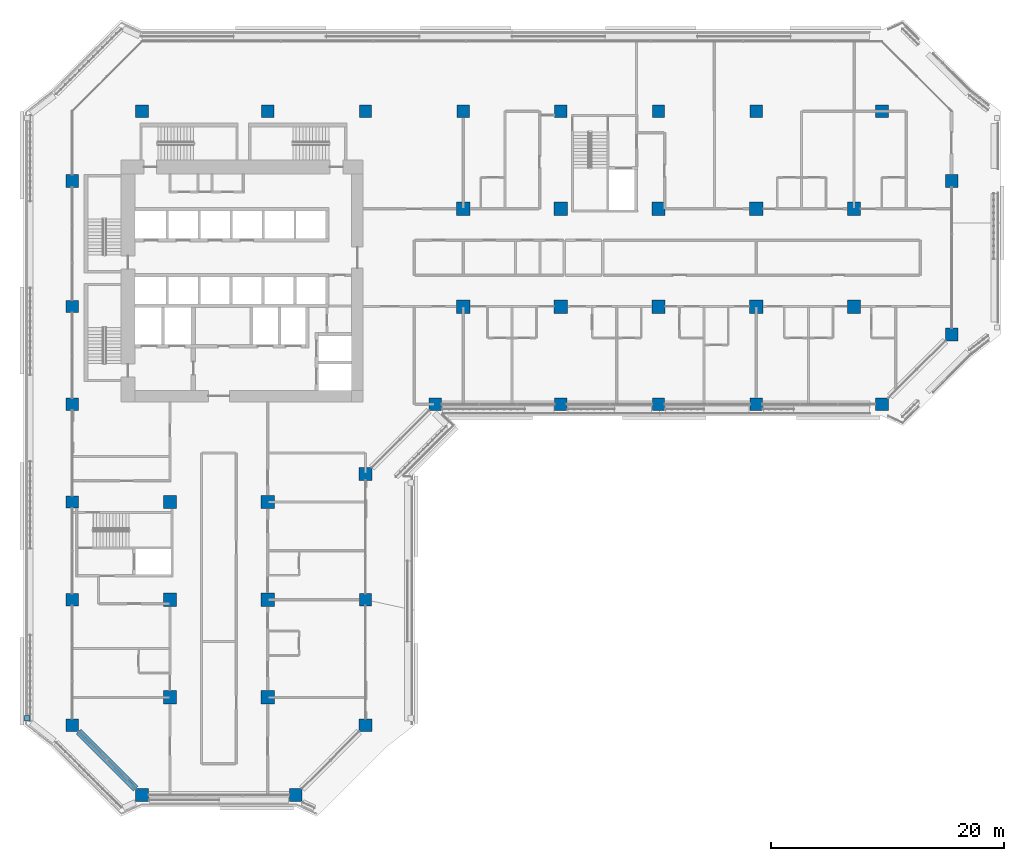
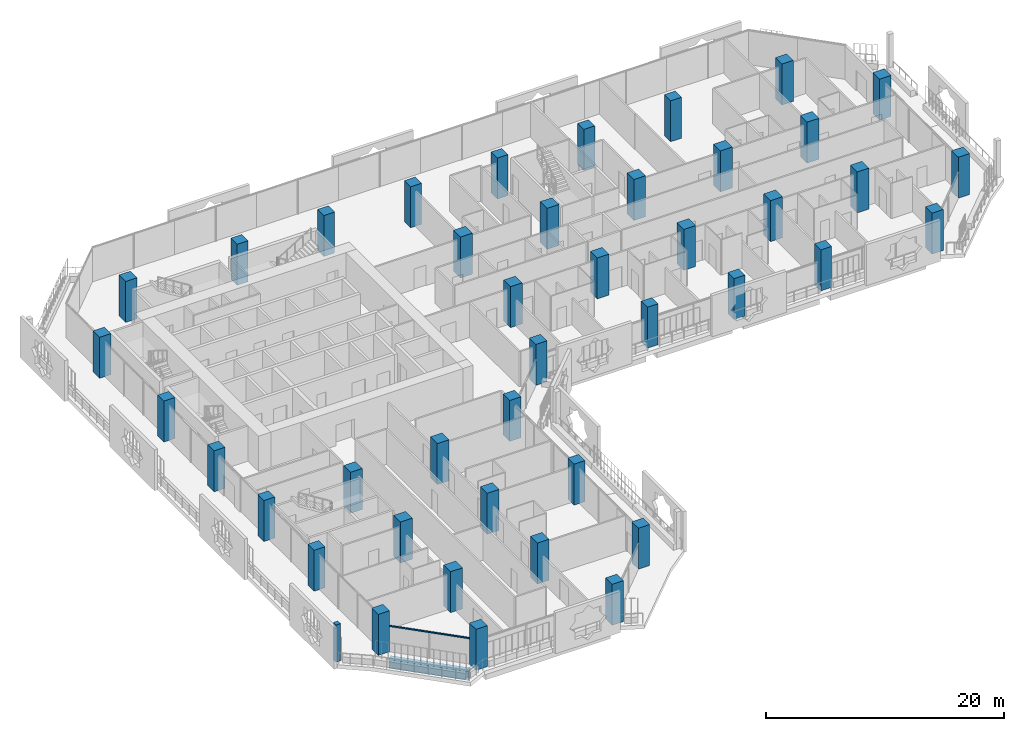
# One storey, part 1 of 26: 42 columns, 2 members, 1 beam, 2 elements without a shape of their own.
"""IFC4 building model written with IfcOpenShell, lengths in metres."""

from ifc_helpers import new_model, si_unit, direction, frame, origin, origin_2d, place, context, subcontext, project, spatial, rectangle, extrude, material, layer, layer_set, material_profile, profile_set, type_object, element, aggregate, save


model = new_model("IFC4")

# Units and contexts
model_context = context("Model", 3, precision=1e-05, world=origin(), true_north=direction((0.0, 1.0)))
body_context = subcontext(model_context, "Body", "Model", "MODEL_VIEW")
ifc_project = project(units=[si_unit("LENGTHUNIT", "METRE"), si_unit("AREAUNIT", "SQUARE_METRE"), si_unit("VOLUMEUNIT", "CUBIC_METRE"), si_unit("PLANEANGLEUNIT", "RADIAN"), si_unit("MASSUNIT", "GRAM", prefix="KILO")], contexts=[model_context])

# Site, building, storey
site_placement = place(None, origin())
site = spatial("IfcSite", under=ifc_project, at=site_placement, CompositionType="ELEMENT")
building_placement = place(site_placement, origin())
building = spatial("IfcBuilding", under=site, at=building_placement, Name="Kawkab Arch Medical Tower", CompositionType="ELEMENT")
storey_placement = place(building_placement, frame((0.0, 0.0, 119.800048828125)))
storey = spatial("IfcBuildingStorey", under=building, at=storey_placement, Name="L27", CompositionType="ELEMENT", Elevation=119.800048828125)

# Columns
ifc_material_1 = material(Name="Concrete C55/67", Category="concrete")
ifc_material_profile_1 = material_profile(ifc_material_1, rectangle(XDim=1.050048828125, YDim=1.050048828125, at=origin_2d()), Name="RC 1050x1050")
ifc_profile_set_1 = profile_set([ifc_material_profile_1], Name="Concrete C55/67")
column_type_1 = type_object("IfcColumnType", Name="RC 1050x1050 column C55/67", PredefinedType="COLUMN", material=ifc_profile_set_1)
for number, where, z_axis, x_axis, name in (
    (1, (16.800048828125, 0.0, 0.0), (0.0, 0.0, 1.0), (1.0, 0.0, 0.0), "Column RC 1050x1050"),
    (2, (25.199951171875, 0.0, 0.0), (0.0, 0.0, 1.0), (1.0, 0.0, 0.0), "Column RC 1050x1050"),
    (3, (33.60009765625, 0.0, 0.0), (0.0, 0.0, 1.0), (1.0, 0.0, 0.0), "Column RC 1050x1050"),
    (4, (42.0, 0.0, 0.0), (0.0, 0.0, 1.0), (1.0, 0.0, 0.0), "Column RC 1050x1050"),
    (5, (50.39990234375, 0.0, 0.0), (0.0, 0.0, 1.0), (1.0, 0.0, 0.0), "Column RC 1050x1050"),
    (6, (58.800048828125, 0.0, 0.0), (0.0, 0.0, 1.0), (1.0, 0.0, 0.0), "Column RC 1050x1050"),
    (7, (0.0, -16.800048828125, 0.0), (0.0, 0.0, 1.0), (1.0, 0.0, 0.0), "Column RC 1050x1050"),
    (8, (0.0, -25.199951171875, 0.0), (0.0, 0.0, 1.0), (1.0, 0.0, 0.0), "Column RC 1050x1050"),
    (9, (42.0, -25.199951171875, 0.0), (0.0, 0.0, 1.0), (1.0, 0.0, 0.0), "Column RC 1050x1050"),
    (10, (50.39990234375, -25.199951171875, 0.0), (0.0, 0.0, 1.0), (1.0, 0.0, 0.0), "Column RC 1050x1050"),
    (11, (58.800048828125, -25.199951171875, 0.0), (0.0, 0.0, 1.0), (1.0, 0.0, 0.0), "Column RC 1050x1050"),
    (12, (0.0, -33.60009765625, 0.0), (0.0, 0.0, 1.0), (1.0, 0.0, 0.0), "Column RC 1050x1050"),
    (13, (0.0, -42.0, 0.0), (0.0, 0.0, 1.0), (1.0, 0.0, 0.0), "Column RC 1050x1050"),
    (14, (25.199951171875, -42.0, 0.0), (0.0, 0.0, 1.0), (1.0, 0.0, 0.0), "Column RC 1050x1050"),
):
    element("IfcColumn", number, at=place(storey_placement, frame(where, z_axis=z_axis, x_axis=x_axis)), inside=storey, type_object=column_type_1, Name=name, PredefinedType="COLUMN", context=body_context, shape_type="SweptSolid", body=[
        extrude(rectangle(XDim=1.050048828125, YDim=1.050048828125, at=origin_2d()), origin(), (0.0, 0.0, 1.0), 4.199951171875),
    ])
ifc_material_2 = material(Name="Concrete C55/67", Category="concrete")
ifc_material_profile_2 = material_profile(ifc_material_2, rectangle(XDim=1.10009765625, YDim=1.10009765625, at=origin_2d()), Name="RC 1100x1100")
ifc_profile_set_2 = profile_set([ifc_material_profile_2], Name="Concrete C55/67")
column_type_2 = type_object("IfcColumnType", Name="RC 1100x1100 column C55/67", PredefinedType="COLUMN", material=ifc_profile_set_2)
for number, where, z_axis, x_axis, name in (
    (15, (6.0, 0.0, 0.0), (0.0, 0.0, 1.0), (1.0, 0.0, 0.0), "Column RC 1100x1100"),
    (16, (69.60009765625, 0.0, 0.0), (0.0, 0.0, 1.0), (1.0, 0.0, 0.0), "Column RC 1100x1100"),
    (17, (0.0, -6.0, 0.0), (0.0, 0.0, 1.0), (1.0, 0.0, 0.0), "Column RC 1100x1100"),
    (18, (75.60009765625, -6.0, 0.0), (0.0, 0.0, 1.0), (1.0, 0.0, 0.0), "Column RC 1100x1100"),
    (19, (75.60009765625, -19.199951171875, 0.0), (0.0, 0.0, 1.0), (1.0, 0.0, 0.0), "Column RC 1100x1100"),
    (20, (31.199951171875, -25.199951171875, 0.0), (0.0, 0.0, 1.0), (1.0, 0.0, 0.0), "Column RC 1100x1100"),
    (21, (69.60009765625, -25.199951171875, 0.0), (0.0, 0.0, 1.0), (1.0, 0.0, 0.0), "Column RC 1100x1100"),
    (22, (25.199951171875, -31.199951171875, 0.0), (0.0, 0.0, 1.0), (1.0, 0.0, 0.0), "Column RC 1100x1100"),
    (23, (0.0, -52.800048828125, 0.0), (0.0, 0.0, 1.0), (1.0, 0.0, 0.0), "Column RC 1100x1100"),
    (24, (25.199951171875, -52.800048828125, 0.0), (0.0, 0.0, 1.0), (1.0, 0.0, 0.0), "Column RC 1100x1100"),
    (25, (6.0, -58.800048828125, 0.0), (0.0, 0.0, 1.0), (1.0, 0.0, 0.0), "Column RC 1100x1100"),
    (26, (19.199951171875, -58.800048828125, 0.0), (0.0, 0.0, 1.0), (1.0, 0.0, 0.0), "Column RC 1100x1100"),
):
    element("IfcColumn", number, at=place(storey_placement, frame(where, z_axis=z_axis, x_axis=x_axis)), inside=storey, type_object=column_type_2, Name=name, PredefinedType="COLUMN", context=body_context, shape_type="SweptSolid", body=[
        extrude(rectangle(XDim=1.10009765625, YDim=1.10009765625, at=origin_2d()), origin(), (0.0, 0.0, 1.0), 4.199951171875),
    ])
ifc_material_3 = material(Name="Concrete C55/67", Category="concrete")
ifc_material_profile_3 = material_profile(ifc_material_3, rectangle(XDim=1.14990234375, YDim=1.14990234375, at=origin_2d()), Name="RC 1150x1150")
ifc_profile_set_3 = profile_set([ifc_material_profile_3], Name="Concrete C55/67")
column_type_3 = type_object("IfcColumnType", Name="RC 1150x1150 column C55/67", PredefinedType="COLUMN", material=ifc_profile_set_3)
for number, where, z_axis, x_axis, name in (
    (27, (33.60009765625, -8.39990234375, 0.0), (0.0, 0.0, 1.0), (1.0, 0.0, 0.0), "Column RC 1150x1150"),
    (28, (42.0, -8.39990234375, 0.0), (0.0, 0.0, 1.0), (1.0, 0.0, 0.0), "Column RC 1150x1150"),
    (29, (50.39990234375, -8.39990234375, 0.0), (0.0, 0.0, 1.0), (1.0, 0.0, 0.0), "Column RC 1150x1150"),
    (30, (58.800048828125, -8.39990234375, 0.0), (0.0, 0.0, 1.0), (1.0, 0.0, 0.0), "Column RC 1150x1150"),
    (31, (67.199951171875, -8.39990234375, 0.0), (0.0, 0.0, 1.0), (1.0, 0.0, 0.0), "Column RC 1150x1150"),
    (32, (33.60009765625, -16.800048828125, 0.0), (0.0, 0.0, 1.0), (1.0, 0.0, 0.0), "Column RC 1150x1150"),
    (33, (42.0, -16.800048828125, 0.0), (0.0, 0.0, 1.0), (1.0, 0.0, 0.0), "Column RC 1150x1150"),
    (34, (50.39990234375, -16.800048828125, 0.0), (0.0, 0.0, 1.0), (1.0, 0.0, 0.0), "Column RC 1150x1150"),
    (35, (58.800048828125, -16.800048828125, 0.0), (0.0, 0.0, 1.0), (1.0, 0.0, 0.0), "Column RC 1150x1150"),
    (36, (67.199951171875, -16.800048828125, 0.0), (0.0, 0.0, 1.0), (1.0, 0.0, 0.0), "Column RC 1150x1150"),
    (37, (8.39990234375, -33.60009765625, 0.0), (0.0, 0.0, 1.0), (1.0, 0.0, 0.0), "Column RC 1150x1150"),
    (38, (16.800048828125, -33.60009765625, 0.0), (0.0, 0.0, 1.0), (1.0, 0.0, 0.0), "Column RC 1150x1150"),
    (39, (8.39990234375, -42.0, 0.0), (0.0, 0.0, 1.0), (1.0, 0.0, 0.0), "Column RC 1150x1150"),
    (40, (16.800048828125, -42.0, 0.0), (0.0, 0.0, 1.0), (1.0, 0.0, 0.0), "Column RC 1150x1150"),
    (41, (8.39990234375, -50.39990234375, 0.0), (0.0, 0.0, 1.0), (1.0, 0.0, 0.0), "Column RC 1150x1150"),
    (42, (16.800048828125, -50.39990234375, 0.0), (0.0, 0.0, 1.0), (1.0, 0.0, 0.0), "Column RC 1150x1150"),
):
    element("IfcColumn", number, at=place(storey_placement, frame(where, z_axis=z_axis, x_axis=x_axis)), inside=storey, type_object=column_type_3, Name=name, PredefinedType="COLUMN", context=body_context, shape_type="SweptSolid", body=[
        extrude(rectangle(XDim=1.14990234375, YDim=1.14990234375, at=origin_2d()), origin(), (0.0, 0.0, 1.0), 4.199951171875),
    ])

# Curtain wall, member
ifc_material_4 = material(Name="Bronze anodised aluminium curtain wall frame", Category="aluminium")
ifc_layer_1 = layer(ifc_material_4, 0.159912109375)
ifc_layer_set_1 = layer_set([ifc_layer_1], Name="Bronze anodised aluminium curtain wall frame")
curtain_wall_type_1 = type_object("IfcCurtainWallType", Name="CW2 chamfer curtain wall", PredefinedType="NOTDEFINED", material=ifc_layer_set_1)
placement = place(storey_placement, origin())
curtain_wall_1 = element("IfcCurtainWall", 43, at=placement, inside=storey, type_object=curtain_wall_type_1, Name="CW2 Chamfer curtain wall R02", PredefinedType="NOTDEFINED")
ifc_material_5 = material(Name="Bronze anodised aluminium curtain wall frame", Category="aluminium")
ifc_material_profile_4 = material_profile(ifc_material_5, rectangle(XDim=0.06005859375, YDim=0.139892578125, at=origin_2d()), Name="AL 60x140")
ifc_profile_set_4 = profile_set([ifc_material_profile_4], Name="Bronze anodised aluminium curtain wall frame")
member_type_1 = type_object("IfcMemberType", Name="CW2 transom 140 x 60", PredefinedType="USERDEFINED", material=ifc_profile_set_4)
member_1_placement = place(storey_placement, frame((0.550048828125, -53.35009765625, 2.6298828125), z_axis=(0.707106781187, -0.707106781187, 0.0), x_axis=(0.707106781187, 0.707106781187, 0.0)))
member_1 = element("IfcMember", 44, at=member_1_placement, type_object=member_type_1, Name="CW2 transom 1", ObjectType="TRANSOM", PredefinedType="USERDEFINED", context=body_context, shape_type="SweptSolid", body=[
    extrude(rectangle(XDim=0.06005859375, YDim=0.139892578125, at=origin_2d()), origin(), (0.0, 0.0, 1.0), 6.929443359375),
])
aggregate(curtain_wall_1, [member_1])

ifc_material_6 = material(Name="Bronze anodised aluminium climber frame, planted", Category="aluminium")
ifc_layer_2 = layer(ifc_material_6, 0.449951171875)
ifc_layer_set_2 = layer_set([ifc_layer_2], Name="Bronze anodised aluminium climber frame, planted")
curtain_wall_type_2 = type_object("IfcCurtainWallType", Name="Planted climber frame", PredefinedType="NOTDEFINED", material=ifc_layer_set_2)
curtain_wall_2 = element("IfcCurtainWall", 45, at=placement, inside=storey, type_object=curtain_wall_type_2, Name="Planted climber frame L27", PredefinedType="NOTDEFINED")
ifc_material_7 = material(Name="Bronze anodised aluminium climber frame, planted", Category="aluminium")
ifc_material_profile_5 = material_profile(ifc_material_7, rectangle(XDim=0.449951171875, YDim=0.449951171875, at=origin_2d()), Name="Post 450x450")
ifc_profile_set_5 = profile_set([ifc_material_profile_5], Name="Bronze anodised aluminium climber frame, planted")
member_type_2 = type_object("IfcMemberType", Name="Planted climber post 450 x 450", PredefinedType="MULLION", material=ifc_profile_set_5)
member_2_placement = place(storey_placement, frame((-3.89990234375, -52.202880859375, 0.0), z_axis=(0.0, 0.0, 1.0), x_axis=(1.0, 0.0, 0.0)))
member_2 = element("IfcMember", 46, at=member_2_placement, type_object=member_type_2, Name="Planted climber post L27.LOG-01-01.1", PredefinedType="MULLION", context=body_context, shape_type="SweptSolid", body=[
    extrude(rectangle(XDim=0.449951171875, YDim=0.449951171875, at=origin_2d()), origin(), (0.0, 0.0, 1.0), 3.800048828125),
])
aggregate(curtain_wall_2, [member_2])

# Beam
ifc_material_8 = material(Name="Concrete C55/67", Category="concrete")
ifc_material_profile_6 = material_profile(ifc_material_8, rectangle(XDim=0.60009765625, YDim=0.89990234375, at=origin_2d()), Name="RC 600x900")
ifc_profile_set_6 = profile_set([ifc_material_profile_6], Name="Concrete C55/67")
beam_type = type_object("IfcBeamType", Name="RC 600x900 beam C55/67", PredefinedType="BEAM", material=ifc_profile_set_6)
beam_placement = place(storey_placement, frame((5.449951171875, -58.25, -1.050048828125), z_axis=(-0.707106781187, 0.707106781187, 0.0), x_axis=(-0.707106781187, -0.707106781187, 0.0)))
element("IfcBeam", 47, at=beam_placement, inside=storey, type_object=beam_type, Name="Overhang edge beam L27-09", PredefinedType="BEAM", context=body_context, shape_type="SweptSolid", body=[
    extrude(rectangle(XDim=0.60009765625, YDim=0.89990234375, at=origin_2d()), origin(), (0.0, 0.0, 1.0), 6.929443359375),
])

save(model, "model.ifc")
